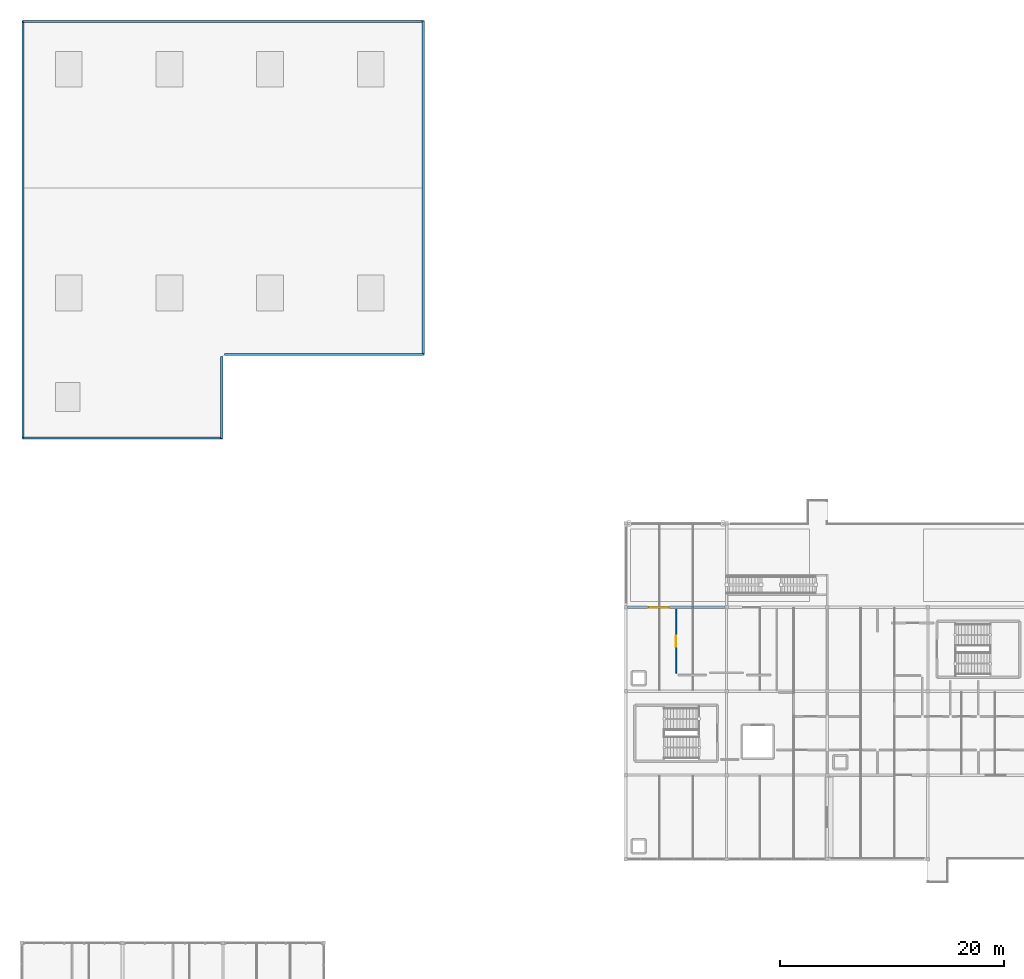
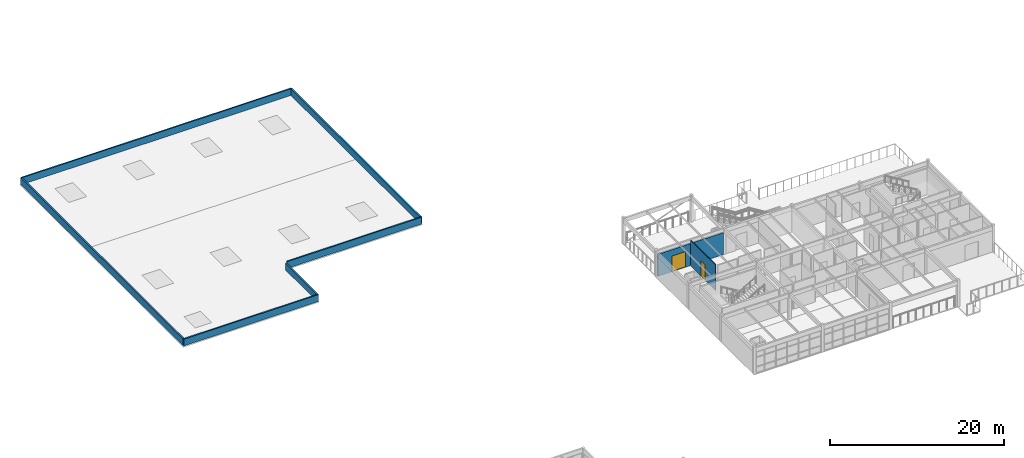
# One storey, part 21 of 24: 8 walls, 2 doors, 2 openings.
"""IFC4 building model written with IfcOpenShell, lengths in metres."""

from ifc_helpers import new_model, si_unit, direction, frame, frame_2d, origin, place, context, subcontext, project, spatial, rectangle, extrude, material, layer, layer_set, type_object, element, fill, save


model = new_model("IFC4")

# Units and contexts
model_context = context("Model", 3, precision=1e-05, world=origin(), true_north=direction((0.0, 1.0)))
body_context = subcontext(model_context, "Body", "Model", "MODEL_VIEW")
ifc_project = project(units=[si_unit("LENGTHUNIT", "METRE"), si_unit("AREAUNIT", "SQUARE_METRE"), si_unit("VOLUMEUNIT", "CUBIC_METRE"), si_unit("PLANEANGLEUNIT", "RADIAN"), si_unit("MASSUNIT", "GRAM", prefix="KILO")], contexts=[model_context])

# Site, building, storey
site_placement = place(None, origin())
site = spatial("IfcSite", under=ifc_project, at=site_placement, CompositionType="ELEMENT")
building_placement = place(site_placement, origin())
building = spatial("IfcBuilding", under=site, at=building_placement, Name="Marnridge Secondary College", CompositionType="ELEMENT")
storey_placement = place(building_placement, frame((0.0, 0.0, 16.10009765625)))
storey = spatial("IfcBuildingStorey", under=building, at=storey_placement, Name="L04", CompositionType="ELEMENT", Elevation=16.10009765625)

# Wall, opening, door
ifc_material_1 = material(Name="Cross-laminated timber CL5", Category="wood")
ifc_layer_1 = layer(ifc_material_1, 0.215087890625)
ifc_layer_set_1 = layer_set([ifc_layer_1], Name="WT-EXT-CLT215")
wall_type_1 = type_object("IfcWallType", Name="WT-EXT-CLT215", PredefinedType="SOLIDWALL", material=ifc_layer_set_1)
wall_1_placement = place(storey_placement, frame((54.153564453125, 67.5, 0.0), z_axis=(0.0, 0.0, 1.0), x_axis=(1.0, 0.0, 0.0)))
wall_1 = element("IfcWall", 1, at=wall_1_placement, inside=storey, type_object=wall_type_1, Name="Exterior wall WE-L04-0194", PredefinedType="SOLIDWALL", context=body_context, shape_type="SweptSolid", body=[
    extrude(rectangle(XDim=8.69287109375, YDim=0.215087890625, at=frame_2d((4.346435546875, 0.0))), origin(), (0.0, 0.0, 1.0), 3.081787109375),
])
opening_1_placement = place(wall_1_placement, frame((1.8818359375, 0.0, 0.0)))
opening_1 = element("IfcOpeningElement", 2, at=opening_1_placement, cuts=wall_1, Name="Opening DE-L04-041", PredefinedType="OPENING", context=body_context, shape_type="SweptSolid", body=[
    extrude(rectangle(XDim=1.800048828125, YDim=2.199951171875, at=frame_2d((0.89990234375, 1.10009765625))), frame((0.0, 0.117431640625, 0.0), z_axis=(0.0, -1.0, 0.0), x_axis=(1.0, 0.0, 0.0)), (0.0, 0.0, 1.0), 0.235107421875),
])
ifc_material_2 = material(Name="Thermally broken timber-aluminium terrace doorset", Category="wood")
door_type_1 = type_object("IfcDoorType", Name="DT-EXT-TER180", OperationType="DOUBLE_DOOR_SINGLE_SWING", PredefinedType="DOOR", material=ifc_material_2)
door_1_placement = place(opening_1_placement, origin())
door_1 = element("IfcDoor", 3, at=door_1_placement, inside=storey, type_object=door_type_1, Name="Play deck access door DE-L04-041", OperationType="DOUBLE_DOOR_SINGLE_SWING", OverallHeight=2.199951171875, OverallWidth=1.800048828125, PredefinedType="DOOR", context=body_context, shape_type="SweptSolid", body=[
    extrude(rectangle(XDim=1.800048828125, YDim=2.199951171875, at=frame_2d((0.89990234375, 1.10009765625))), frame((0.0, 0.02490234375, 0.0), z_axis=(0.0, -1.0, 0.0), x_axis=(1.0, 0.0, 0.0)), (0.0, 0.0, 1.0), 0.050048828125),
])
fill(opening_1, door_1)

# Walls
ifc_material_3 = material(Name="Precast concrete C40/50 (AS 3600 N40, 40 MPa)", Category="concrete")
ifc_layer_2 = layer(ifc_material_3, 0.179931640625)
ifc_layer_set_2 = layer_set([ifc_layer_2], Name="WT-PAR-RC180")
wall_type_2 = type_object("IfcWallType", Name="WT-PAR-RC180", PredefinedType="PARAPET", material=ifc_layer_set_2)
wall_2_placement = place(storey_placement, frame((0.10009765625, 119.8798828125, 0.0), z_axis=(0.0, 0.0, 1.0), x_axis=(1.0, 0.0, 0.0)))
element("IfcWall", 4, at=wall_2_placement, inside=storey, type_object=wall_type_2, Name="Roof parapet WP-009", PredefinedType="PARAPET", context=body_context, shape_type="SweptSolid", body=[
    extrude(rectangle(XDim=35.7998046875, YDim=0.179931640625, at=frame_2d((17.89990234375, 0.0))), origin(), (0.0, 0.0, 1.0), 0.949951171875),
])
for number, where, z_axis, x_axis, name in (
    (5, (35.89990234375, 90.1201171875, 0.0), (0.0, 0.0, 1.0), (-1.0, 0.0, 0.0), "Roof parapet WP-011"),
    (6, (17.89990234375, 82.6201171875, 0.0), (0.0, 0.0, 1.0), (-1.0, 0.0, 0.0), "Roof parapet WP-013"),
):
    element("IfcWall", number, at=place(storey_placement, frame(where, z_axis=z_axis, x_axis=x_axis)), inside=storey, type_object=wall_type_2, Name=name, PredefinedType="PARAPET", context=body_context, shape_type="SweptSolid", body=[
        extrude(rectangle(XDim=17.7998046875, YDim=0.179931640625, at=frame_2d((8.89990234375, 0.0))), origin(), (0.0, 0.0, 1.0), 0.949951171875),
    ])
ifc_material_4 = material(Name="Precast concrete C40/50 (AS 3600 N40, 40 MPa)", Category="concrete")
ifc_layer_3 = layer(ifc_material_4, 0.199951171875)
ifc_layer_set_3 = layer_set([ifc_layer_3], Name="WT-PAR-RC200")
wall_type_3 = type_object("IfcWallType", Name="WT-PAR-RC200", PredefinedType="PARAPET", material=ifc_layer_set_3)
wall_3_placement = place(storey_placement, frame((35.8798828125, 119.89990234375, 0.0), z_axis=(0.0, 0.0, 1.0), x_axis=(0.0, -1.0, 0.0)))
element("IfcWall", 7, at=wall_3_placement, inside=storey, type_object=wall_type_3, Name="Roof parapet WP-010", PredefinedType="PARAPET", context=body_context, shape_type="SweptSolid", body=[
    extrude(rectangle(XDim=29.7998046875, YDim=0.199951171875, at=frame_2d((14.89990234375, 0.0))), origin(), (0.0, 0.0, 1.0), 0.949951171875),
])
wall_4_placement = place(storey_placement, frame((17.8798828125, 89.89990234375, 0.0), z_axis=(0.0, 0.0, 1.0), x_axis=(0.0, -1.0, 0.0)))
element("IfcWall", 8, at=wall_4_placement, inside=storey, type_object=wall_type_3, Name="Roof parapet WP-012", PredefinedType="PARAPET", context=body_context, shape_type="SweptSolid", body=[
    extrude(rectangle(XDim=7.2998046875, YDim=0.199951171875, at=frame_2d((3.64990234375, 0.0))), origin(), (0.0, 0.0, 1.0), 0.949951171875),
])
wall_5_placement = place(storey_placement, frame((0.1201171875, 82.60009765625, 0.0), z_axis=(0.0, 0.0, 1.0), x_axis=(0.0, 1.0, 0.0)))
element("IfcWall", 9, at=wall_5_placement, inside=storey, type_object=wall_type_3, Name="Roof parapet WP-014", PredefinedType="PARAPET", context=body_context, shape_type="SweptSolid", body=[
    extrude(rectangle(XDim=37.2998046875, YDim=0.199951171875, at=frame_2d((18.64990234375, 0.0))), origin(), (0.0, 0.0, 1.0), 0.949951171875),
])

# Wall, opening, door
ifc_material_5 = material(Name="Acoustic glazed studio partition system", Category="gypsum")
ifc_layer_4 = layer(ifc_material_5, 0.10009765625)
ifc_layer_set_4 = layer_set([ifc_layer_4], Name="WT-PART-GL100")
wall_type_4 = type_object("IfcWallType", Name="WT-PART-GL100", PredefinedType="PARTITIONING", material=ifc_layer_set_4)
wall_6_placement = place(storey_placement, frame((58.5, 67.340087890625, 0.0), z_axis=(0.0, 0.0, 1.0), x_axis=(0.0, -1.0, 0.0)))
wall_6 = element("IfcWall", 10, at=wall_6_placement, inside=storey, type_object=wall_type_4, Name="Interior partition WP-L04-0413", PredefinedType="PARTITIONING", context=body_context, shape_type="SweptSolid", body=[
    extrude(rectangle(XDim=5.72998046875, YDim=0.10009765625, at=frame_2d((2.864990234375, 0.0))), origin(), (0.0, 0.0, 1.0), 3.60986328125),
])
opening_2_placement = place(wall_6_placement, frame((2.364990234375, 0.0, 0.0)))
opening_2 = element("IfcOpeningElement", 11, at=opening_2_placement, cuts=wall_6, Name="Opening DI-L04-0152", PredefinedType="OPENING", context=body_context, shape_type="SweptSolid", body=[
    extrude(rectangle(XDim=1.0, YDim=2.14990234375, at=frame_2d((0.5, 1.074951171875))), frame((0.0, 0.06005859375, 0.0), z_axis=(0.0, -1.0, 0.0), x_axis=(1.0, 0.0, 0.0)), (0.0, 0.0, 1.0), 0.1201171875),
])
ifc_material_6 = material(Name="Solid-core acoustic hoop-pine classroom doorset", Category="wood")
door_type_2 = type_object("IfcDoorType", Name="DT-CLS-100", OperationType="NOTDEFINED", PredefinedType="DOOR", material=ifc_material_6)
door_2_placement = place(opening_2_placement, origin())
door_2 = element("IfcDoor", 12, at=door_2_placement, inside=storey, type_object=door_type_2, Name="Interior door DI-L04-0152", OperationType="SINGLE_SWING_RIGHT", OverallHeight=2.14990234375, OverallWidth=1.0, PredefinedType="DOOR", context=body_context, shape_type="SweptSolid", body=[
    extrude(rectangle(XDim=1.0, YDim=2.14990234375, at=frame_2d((0.5, 1.074951171875))), frame((0.0, 0.02490234375, 0.0), z_axis=(0.0, -1.0, 0.0), x_axis=(1.0, 0.0, 0.0)), (0.0, 0.0, 1.0), 0.050048828125),
])
fill(opening_2, door_2)

save(model, "model.ifc")
